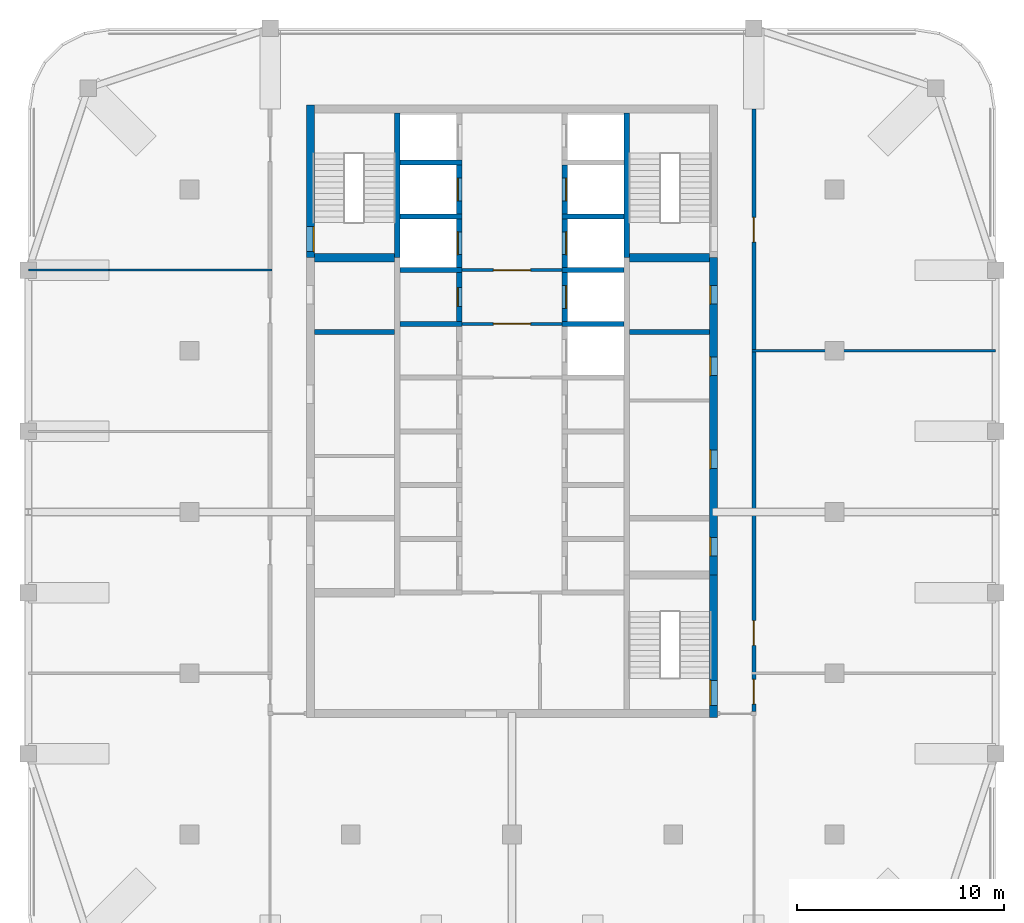
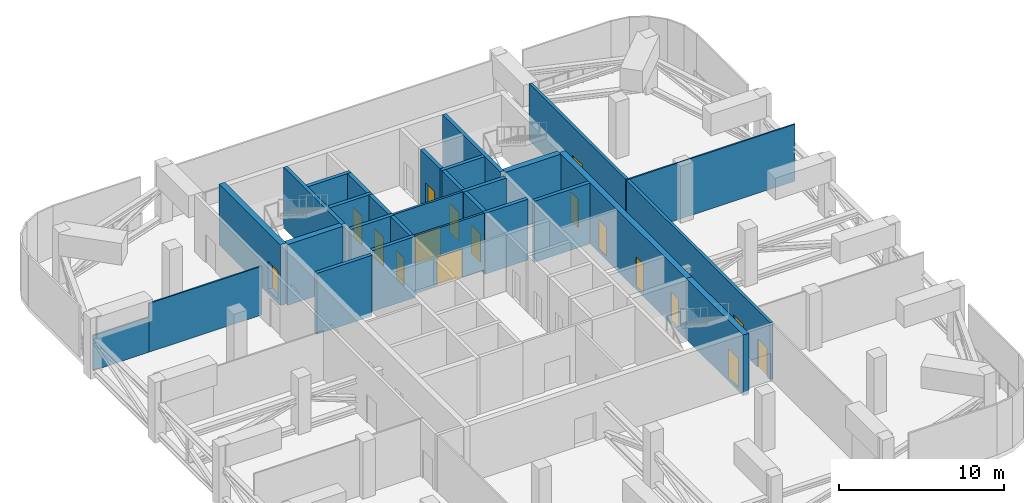
# One storey, part 7 of 13: 28 walls, 17 doors, 17 openings.
"""IFC4 building model written with IfcOpenShell, lengths in metres."""

from ifc_helpers import new_model, si_unit, direction, frame, frame_2d, origin, place, context, subcontext, project, spatial, rectangle, extrude, material, layer, layer_set, type_object, element, fill, save


model = new_model("IFC4")

# Units and contexts
model_context = context("Model", 3, precision=1e-05, world=origin(), true_north=direction((0.0, 1.0)))
body_context = subcontext(model_context, "Body", "Model", "MODEL_VIEW")
ifc_project = project(units=[si_unit("LENGTHUNIT", "METRE"), si_unit("AREAUNIT", "SQUARE_METRE"), si_unit("VOLUMEUNIT", "CUBIC_METRE"), si_unit("PLANEANGLEUNIT", "RADIAN"), si_unit("MASSUNIT", "GRAM", prefix="KILO")], contexts=[model_context])

# Site, building, storey
site_placement = place(None, origin())
site = spatial("IfcSite", under=ifc_project, at=site_placement, CompositionType="ELEMENT")
building_placement = place(site_placement, origin())
building = spatial("IfcBuilding", under=site, at=building_placement, Name="Ludao Terraces", CompositionType="ELEMENT")
storey_placement = place(building_placement, frame((0.0, 0.0, 241.5)))
storey = spatial("IfcBuildingStorey", under=building, at=storey_placement, Name="L66", CompositionType="ELEMENT", Elevation=241.5)

# Wall, opening, door
ifc_material_1 = material(Name="Concrete C50", Category="concrete")
ifc_layer_1 = layer(ifc_material_1, 0.39990234375)
ifc_layer_set_1 = layer_set([ifc_layer_1], Name="Core wall 400 C50")
wall_type_1 = type_object("IfcWallType", Name="Core wall 400 C50", PredefinedType="SOLIDWALL", material=ifc_layer_set_1)
wall_1_placement = place(storey_placement, frame((75.25, 77.300048828125, -0.300048828125), z_axis=(0.0, 0.0, 1.0), x_axis=(0.0, 1.0, 0.0)))
wall_1 = element("IfcWall", 1, at=wall_1_placement, inside=storey, type_object=wall_type_1, Name="Core wall L66 outer-W-S1", PredefinedType="SOLIDWALL", context=body_context, shape_type="SweptSolid", body=[
    extrude(rectangle(XDim=7.39990234375, YDim=0.39990234375, at=frame_2d((3.699951171875, 0.0))), origin(), (0.0, 0.0, 1.0), 4.5),
])
opening_1_placement = place(wall_1_placement, frame((0.300048828125, 0.0, 0.300048828125)))
opening_1 = element("IfcOpeningElement", 2, at=opening_1_placement, cuts=wall_1, Name="Opening L66-037", PredefinedType="OPENING", context=body_context, shape_type="SweptSolid", body=[
    extrude(rectangle(XDim=1.199951171875, YDim=2.10009765625, at=frame_2d((0.60009765625, 1.050048828125))), frame((0.0, 0.2099609375, 0.0), z_axis=(0.0, -1.0, 0.0), x_axis=(1.0, 0.0, 0.0)), (0.0, 0.0, 1.0), 0.419921875),
])
ifc_material_2 = material(Name="Steel Q235", Category="steel")
door_type_1 = type_object("IfcDoorType", Name="INT Stair door 1200", OperationType="DOUBLE_DOOR_SINGLE_SWING", PredefinedType="DOOR", material=ifc_material_2)
door_1_placement = place(opening_1_placement, origin())
door_1 = element("IfcDoor", 3, at=door_1_placement, inside=storey, type_object=door_type_1, Name="DOOR 037", OperationType="DOUBLE_DOOR_SINGLE_SWING", OverallHeight=2.10009765625, OverallWidth=1.199951171875, PredefinedType="DOOR", context=body_context, shape_type="SweptSolid", body=[
    extrude(rectangle(XDim=1.199951171875, YDim=2.10009765625, at=frame_2d((0.60009765625, 1.050048828125))), frame((0.0, -0.134765625, 0.0), z_axis=(0.0, -1.0, 0.0), x_axis=(1.0, 0.0, 0.0)), (0.0, 0.0, 1.0), 0.050048828125),
])
fill(opening_1, door_1)

wall_2_placement = place(storey_placement, frame((94.75, 55.050048828125, -0.300048828125), z_axis=(0.0, 0.0, 1.0), x_axis=(0.0, 1.0, 0.0)))
wall_2 = element("IfcWall", 4, at=wall_2_placement, inside=storey, type_object=wall_type_1, Name="Core wall L66 outer-E-S3", PredefinedType="SOLIDWALL", context=body_context, shape_type="SweptSolid", body=[
    extrude(rectangle(XDim=6.89990234375, YDim=0.39990234375, at=frame_2d((3.449951171875, 0.0))), origin(), (0.0, 0.0, 1.0), 4.5),
])
opening_2_placement = place(wall_2_placement, frame((0.60009765625, 0.0, 0.300048828125)))
opening_2 = element("IfcOpeningElement", 5, at=opening_2_placement, cuts=wall_2, Name="Opening L66-004", PredefinedType="OPENING", context=body_context, shape_type="SweptSolid", body=[
    extrude(rectangle(XDim=1.199951171875, YDim=2.10009765625, at=frame_2d((0.60009765625, 1.050048828125))), frame((0.0, 0.2099609375, 0.0), z_axis=(0.0, -1.0, 0.0), x_axis=(1.0, 0.0, 0.0)), (0.0, 0.0, 1.0), 0.419921875),
])
door_2_placement = place(opening_2_placement, origin())
door_2 = element("IfcDoor", 6, at=door_2_placement, inside=storey, type_object=door_type_1, Name="DOOR 004", OperationType="DOUBLE_DOOR_SINGLE_SWING", OverallHeight=2.10009765625, OverallWidth=1.199951171875, PredefinedType="DOOR", context=body_context, shape_type="SweptSolid", body=[
    extrude(rectangle(XDim=1.199951171875, YDim=2.10009765625, at=frame_2d((0.60009765625, 1.050048828125))), frame((0.0, 0.18505859375, 0.0), z_axis=(0.0, -1.0, 0.0), x_axis=(1.0, 0.0, 0.0)), (0.0, 0.0, 1.0), 0.050048828125),
])
fill(opening_2, door_2)

# Wall, openings, doors
wall_3_placement = place(storey_placement, frame((94.75, 61.949951171875, -0.300048828125), z_axis=(0.0, 0.0, 1.0), x_axis=(0.0, 1.0, 0.0)))
wall_3 = element("IfcWall", 7, at=wall_3_placement, inside=storey, type_object=wall_type_1, Name="Core wall L66 outer-E", PredefinedType="SOLIDWALL", context=body_context, shape_type="SweptSolid", body=[
    extrude(rectangle(XDim=15.35009765625, YDim=0.39990234375, at=frame_2d((7.675048828125, 0.0))), origin(), (0.0, 0.0, 1.0), 4.5),
])
opening_3_placement = place(wall_3_placement, frame((0.925048828125, 0.0, 0.300048828125)))
opening_3 = element("IfcOpeningElement", 8, at=opening_3_placement, cuts=wall_3, Name="Opening L66-014", PredefinedType="OPENING", context=body_context, shape_type="SweptSolid", body=[
    extrude(rectangle(XDim=0.89990234375, YDim=2.10009765625, at=frame_2d((0.449951171875, 1.050048828125))), frame((0.0, 0.2099609375, 0.0), z_axis=(0.0, -1.0, 0.0), x_axis=(1.0, 0.0, 0.0)), (0.0, 0.0, 1.0), 0.419921875),
])
opening_4_placement = place(wall_3_placement, frame((5.14990234375, 0.0, 0.300048828125)))
opening_4 = element("IfcOpeningElement", 9, at=opening_4_placement, cuts=wall_3, Name="Opening L66-018", PredefinedType="OPENING", context=body_context, shape_type="SweptSolid", body=[
    extrude(rectangle(XDim=0.89990234375, YDim=2.10009765625, at=frame_2d((0.449951171875, 1.050048828125))), frame((0.0, 0.2099609375, 0.0), z_axis=(0.0, -1.0, 0.0), x_axis=(1.0, 0.0, 0.0)), (0.0, 0.0, 1.0), 0.419921875),
])
opening_5_placement = place(wall_3_placement, frame((9.64990234375, 0.0, 0.300048828125)))
opening_5 = element("IfcOpeningElement", 10, at=opening_5_placement, cuts=wall_3, Name="Opening L66-025", PredefinedType="OPENING", context=body_context, shape_type="SweptSolid", body=[
    extrude(rectangle(XDim=0.89990234375, YDim=2.10009765625, at=frame_2d((0.449951171875, 1.050048828125))), frame((0.0, 0.2099609375, 0.0), z_axis=(0.0, -1.0, 0.0), x_axis=(1.0, 0.0, 0.0)), (0.0, 0.0, 1.0), 0.419921875),
])
opening_6_placement = place(wall_3_placement, frame((13.10009765625, 0.0, 0.300048828125)))
opening_6 = element("IfcOpeningElement", 11, at=opening_6_placement, cuts=wall_3, Name="Opening L66-033", PredefinedType="OPENING", context=body_context, shape_type="SweptSolid", body=[
    extrude(rectangle(XDim=0.89990234375, YDim=2.10009765625, at=frame_2d((0.449951171875, 1.050048828125))), frame((0.0, 0.2099609375, 0.0), z_axis=(0.0, -1.0, 0.0), x_axis=(1.0, 0.0, 0.0)), (0.0, 0.0, 1.0), 0.419921875),
])
door_type_2 = type_object("IfcDoorType", Name="INT Riser door 900", OperationType="SINGLE_SWING_LEFT", PredefinedType="DOOR", material=ifc_material_2)
door_3_placement = place(opening_3_placement, origin())
door_3 = element("IfcDoor", 12, at=door_3_placement, inside=storey, type_object=door_type_2, Name="DOOR 014", OperationType="SINGLE_SWING_LEFT", OverallHeight=2.10009765625, OverallWidth=0.89990234375, PredefinedType="DOOR", context=body_context, shape_type="SweptSolid", body=[
    extrude(rectangle(XDim=0.89990234375, YDim=2.10009765625, at=frame_2d((0.449951171875, 1.050048828125))), frame((0.0, 0.18505859375, 0.0), z_axis=(0.0, -1.0, 0.0), x_axis=(1.0, 0.0, 0.0)), (0.0, 0.0, 1.0), 0.050048828125),
])
fill(opening_3, door_3)
door_4_placement = place(opening_6_placement, origin())
door_4 = element("IfcDoor", 13, at=door_4_placement, inside=storey, type_object=door_type_2, Name="DOOR 033", OperationType="SINGLE_SWING_RIGHT", OverallHeight=2.10009765625, OverallWidth=0.89990234375, PredefinedType="DOOR", context=body_context, shape_type="SweptSolid", body=[
    extrude(rectangle(XDim=0.89990234375, YDim=2.10009765625, at=frame_2d((0.449951171875, 1.050048828125))), frame((0.0, 0.18505859375, 0.0), z_axis=(0.0, -1.0, 0.0), x_axis=(1.0, 0.0, 0.0)), (0.0, 0.0, 1.0), 0.050048828125),
])
fill(opening_6, door_4)
ifc_material_3 = material(Name="Timber door leaf", Category="wood")
door_type_3 = type_object("IfcDoorType", Name="INT Room door 900", OperationType="SINGLE_SWING_LEFT", PredefinedType="DOOR", material=ifc_material_3)
door_5_placement = place(opening_4_placement, origin())
door_5 = element("IfcDoor", 14, at=door_5_placement, inside=storey, type_object=door_type_3, Name="DOOR 018", OperationType="SINGLE_SWING_LEFT", OverallHeight=2.10009765625, OverallWidth=0.89990234375, PredefinedType="DOOR", context=body_context, shape_type="SweptSolid", body=[
    extrude(rectangle(XDim=0.89990234375, YDim=2.10009765625, at=frame_2d((0.449951171875, 1.050048828125))), frame((0.0, 0.18505859375, 0.0), z_axis=(0.0, -1.0, 0.0), x_axis=(1.0, 0.0, 0.0)), (0.0, 0.0, 1.0), 0.050048828125),
])
fill(opening_4, door_5)
door_6_placement = place(opening_5_placement, origin())
door_6 = element("IfcDoor", 15, at=door_6_placement, inside=storey, type_object=door_type_3, Name="DOOR 025", OperationType="SINGLE_SWING_LEFT", OverallHeight=2.10009765625, OverallWidth=0.89990234375, PredefinedType="DOOR", context=body_context, shape_type="SweptSolid", body=[
    extrude(rectangle(XDim=0.89990234375, YDim=2.10009765625, at=frame_2d((0.449951171875, 1.050048828125))), frame((0.0, 0.18505859375, 0.0), z_axis=(0.0, -1.0, 0.0), x_axis=(1.0, 0.0, 0.0)), (0.0, 0.0, 1.0), 0.050048828125),
])
fill(opening_5, door_6)

# Wall, opening, door
ifc_material_4 = material(Name="Fire-rated gypsum plasterboard", Category="gypsum")
ifc_layer_2 = layer(ifc_material_4, 0.012451171875, Category="gypsum")
ifc_material_5 = material(Name="Mineral wool")
ifc_layer_3 = layer(ifc_material_5, 0.10009765625, Name="insulation")
ifc_layer_4 = layer(ifc_material_2, 0.02490234375, Name="stud")
ifc_layer_5 = layer(ifc_material_4, 0.012451171875, Category="gypsum")
ifc_layer_set_2 = layer_set([ifc_layer_2, ifc_layer_3, ifc_layer_4, ifc_layer_5], Name="INT Core partition 150")
wall_type_2 = type_object("IfcWallType", Name="INT Core partition 150", PredefinedType="PARTITIONING", material=ifc_layer_set_2)
wall_4_placement = place(storey_placement, frame((82.5751953125, 74.10009765625, 0.0), z_axis=(0.0, 0.0, 1.0), x_axis=(1.0, 0.0, 0.0)))
wall_4 = element("IfcWall", 16, at=wall_4_placement, inside=storey, type_object=wall_type_2, Name="PW-L66-PW010", PredefinedType="PARTITIONING", context=body_context, shape_type="SweptSolid", body=[
    extrude(rectangle(XDim=4.849853515625, YDim=0.14990234375, at=frame_2d((2.4248046875, 0.0))), origin(), (0.0, 0.0, 1.0), 4.199951171875),
])
opening_7_placement = place(wall_4_placement, frame((1.52490234375, 0.0, 0.0)))
opening_7 = element("IfcOpeningElement", 17, at=opening_7_placement, cuts=wall_4, Name="Opening L66-028", PredefinedType="OPENING", context=body_context, shape_type="SweptSolid", body=[
    extrude(rectangle(XDim=1.800048828125, YDim=2.10009765625, at=frame_2d((0.89990234375, 1.050048828125))), frame((0.0, 0.0849609375, 0.0), z_axis=(0.0, -1.0, 0.0), x_axis=(1.0, 0.0, 0.0)), (0.0, 0.0, 1.0), 0.169921875),
])
door_type_4 = type_object("IfcDoorType", Name="INT Fire lobby door 1800", OperationType="DOUBLE_DOOR_SINGLE_SWING", PredefinedType="DOOR", material=ifc_material_2)
door_7_placement = place(opening_7_placement, origin())
door_7 = element("IfcDoor", 18, at=door_7_placement, inside=storey, type_object=door_type_4, Name="DOOR 028", OperationType="DOUBLE_DOOR_SINGLE_SWING", OverallHeight=2.10009765625, OverallWidth=1.800048828125, PredefinedType="DOOR", context=body_context, shape_type="SweptSolid", body=[
    extrude(rectangle(XDim=1.800048828125, YDim=2.10009765625, at=frame_2d((0.89990234375, 1.050048828125))), frame((0.0, 0.02490234375, 0.0), z_axis=(0.0, -1.0, 0.0), x_axis=(1.0, 0.0, 0.0)), (0.0, 0.0, 1.0), 0.050048828125),
])
fill(opening_7, door_7)

wall_5_placement = place(storey_placement, frame((82.5751953125, 76.699951171875, 0.0), z_axis=(0.0, 0.0, 1.0), x_axis=(1.0, 0.0, 0.0)))
wall_5 = element("IfcWall", 19, at=wall_5_placement, inside=storey, type_object=wall_type_2, Name="PW-L66-PW012", PredefinedType="PARTITIONING", context=body_context, shape_type="SweptSolid", body=[
    extrude(rectangle(XDim=4.849853515625, YDim=0.14990234375, at=frame_2d((2.4248046875, 0.0))), origin(), (0.0, 0.0, 1.0), 4.199951171875),
])
opening_8_placement = place(wall_5_placement, frame((1.52490234375, 0.0, 0.0)))
opening_8 = element("IfcOpeningElement", 20, at=opening_8_placement, cuts=wall_5, Name="Opening L66-034", PredefinedType="OPENING", context=body_context, shape_type="SweptSolid", body=[
    extrude(rectangle(XDim=1.800048828125, YDim=2.10009765625, at=frame_2d((0.89990234375, 1.050048828125))), frame((0.0, 0.0849609375, 0.0), z_axis=(0.0, -1.0, 0.0), x_axis=(1.0, 0.0, 0.0)), (0.0, 0.0, 1.0), 0.169921875),
])
door_8_placement = place(opening_8_placement, origin())
door_8 = element("IfcDoor", 21, at=door_8_placement, inside=storey, type_object=door_type_4, Name="DOOR 034", OperationType="DOUBLE_DOOR_SINGLE_SWING", OverallHeight=2.10009765625, OverallWidth=1.800048828125, PredefinedType="DOOR", context=body_context, shape_type="SweptSolid", body=[
    extrude(rectangle(XDim=1.800048828125, YDim=2.10009765625, at=frame_2d((0.89990234375, 1.050048828125))), frame((0.0, 0.02490234375, 0.0), z_axis=(0.0, -1.0, 0.0), x_axis=(1.0, 0.0, 0.0)), (0.0, 0.0, 1.0), 0.050048828125),
])
fill(opening_8, door_8)

# Wall, openings, doors
ifc_material_6 = material(Name="Autoclaved aerated concrete block B06 A3.5", Category="concrete")
ifc_layer_6 = layer(ifc_material_6, 0.199951171875)
ifc_layer_set_3 = layer_set([ifc_layer_6], Name="INT Entrance wall 200")
wall_type_3 = type_object("IfcWallType", Name="INT Entrance wall 200", PredefinedType="PARTITIONING", material=ifc_layer_set_3)
wall_6_placement = place(storey_placement, frame((96.699951171875, 55.35009765625, 0.0), z_axis=(0.0, 0.0, 1.0), x_axis=(0.0, 1.0, 0.0)))
wall_6 = element("IfcWall", 22, at=wall_6_placement, inside=storey, type_object=wall_type_3, Name="PW-L66-PW017", PredefinedType="PARTITIONING", context=body_context, shape_type="SweptSolid", body=[
    extrude(rectangle(XDim=29.14990234375, YDim=0.199951171875, at=frame_2d((14.574951171875, 0.0))), origin(), (0.0, 0.0, 1.0), 4.199951171875),
])
opening_9_placement = place(wall_6_placement, frame((0.35009765625, 0.0, 0.0)))
opening_9 = element("IfcOpeningElement", 23, at=opening_9_placement, cuts=wall_6, Name="Opening L66-006", PredefinedType="OPENING", context=body_context, shape_type="SweptSolid", body=[
    extrude(rectangle(XDim=1.199951171875, YDim=2.10009765625, at=frame_2d((0.60009765625, 1.050048828125))), frame((0.0, 0.10986328125, 0.0), z_axis=(0.0, -1.0, 0.0), x_axis=(1.0, 0.0, 0.0)), (0.0, 0.0, 1.0), 0.219970703125),
])
opening_10_placement = place(wall_6_placement, frame((3.199951171875, 0.0, 0.0)))
opening_10 = element("IfcOpeningElement", 24, at=opening_10_placement, cuts=wall_6, Name="Opening L66-008", PredefinedType="OPENING", context=body_context, shape_type="SweptSolid", body=[
    extrude(rectangle(XDim=1.199951171875, YDim=2.10009765625, at=frame_2d((0.60009765625, 1.050048828125))), frame((0.0, 0.10986328125, 0.0), z_axis=(0.0, -1.0, 0.0), x_axis=(1.0, 0.0, 0.0)), (0.0, 0.0, 1.0), 0.219970703125),
])
opening_11_placement = place(wall_6_placement, frame((22.699951171875, 0.0, 0.0)))
opening_11 = element("IfcOpeningElement", 25, at=opening_11_placement, cuts=wall_6, Name="Opening L66-039", PredefinedType="OPENING", context=body_context, shape_type="SweptSolid", body=[
    extrude(rectangle(XDim=1.199951171875, YDim=2.10009765625, at=frame_2d((0.60009765625, 1.050048828125))), frame((0.0, 0.10986328125, 0.0), z_axis=(0.0, -1.0, 0.0), x_axis=(1.0, 0.0, 0.0)), (0.0, 0.0, 1.0), 0.219970703125),
])
door_type_5 = type_object("IfcDoorType", Name="INT Double door 1200", OperationType="DOUBLE_DOOR_SINGLE_SWING", PredefinedType="DOOR", material=ifc_material_3)
door_9_placement = place(opening_9_placement, origin())
door_9 = element("IfcDoor", 26, at=door_9_placement, inside=storey, type_object=door_type_5, Name="DOOR 006", OperationType="DOUBLE_DOOR_SINGLE_SWING", OverallHeight=2.10009765625, OverallWidth=1.199951171875, PredefinedType="DOOR", context=body_context, shape_type="SweptSolid", body=[
    extrude(rectangle(XDim=1.199951171875, YDim=2.10009765625, at=frame_2d((0.60009765625, 1.050048828125))), frame((0.0, 0.02490234375, 0.0), z_axis=(0.0, -1.0, 0.0), x_axis=(1.0, 0.0, 0.0)), (0.0, 0.0, 1.0), 0.050048828125),
])
fill(opening_9, door_9)
door_10_placement = place(opening_10_placement, origin())
door_10 = element("IfcDoor", 27, at=door_10_placement, inside=storey, type_object=door_type_5, Name="DOOR 008", OperationType="DOUBLE_DOOR_SINGLE_SWING", OverallHeight=2.10009765625, OverallWidth=1.199951171875, PredefinedType="DOOR", context=body_context, shape_type="SweptSolid", body=[
    extrude(rectangle(XDim=1.199951171875, YDim=2.10009765625, at=frame_2d((0.60009765625, 1.050048828125))), frame((0.0, 0.02490234375, 0.0), z_axis=(0.0, -1.0, 0.0), x_axis=(1.0, 0.0, 0.0)), (0.0, 0.0, 1.0), 0.050048828125),
])
fill(opening_10, door_10)
door_11_placement = place(opening_11_placement, origin())
door_11 = element("IfcDoor", 28, at=door_11_placement, inside=storey, type_object=door_type_5, Name="DOOR 039", OperationType="DOUBLE_DOOR_SINGLE_SWING", OverallHeight=2.10009765625, OverallWidth=1.199951171875, PredefinedType="DOOR", context=body_context, shape_type="SweptSolid", body=[
    extrude(rectangle(XDim=1.199951171875, YDim=2.10009765625, at=frame_2d((0.60009765625, 1.050048828125))), frame((0.0, 0.02490234375, 0.0), z_axis=(0.0, -1.0, 0.0), x_axis=(1.0, 0.0, 0.0)), (0.0, 0.0, 1.0), 0.050048828125),
])
fill(opening_11, door_11)

# Walls
ifc_material_7 = material(Name="Gypsum plasterboard", Category="gypsum")
ifc_layer_7 = layer(ifc_material_7, 0.012451171875, Category="gypsum")
ifc_layer_8 = layer(ifc_material_5, 0.06005859375, Name="insulation")
ifc_layer_9 = layer(ifc_material_2, 0.014892578125, Name="stud")
ifc_layer_10 = layer(ifc_material_7, 0.012451171875, Category="gypsum")
ifc_layer_set_4 = layer_set([ifc_layer_7, ifc_layer_8, ifc_layer_9, ifc_layer_10], Name="INT Partition 100")
wall_type_4 = type_object("IfcWallType", Name="INT Partition 100", PredefinedType="PARTITIONING", material=ifc_layer_set_4)
wall_7_placement = place(storey_placement, frame((96.60009765625, 72.800048828125, 0.0), z_axis=(0.0, 0.0, 1.0), x_axis=(1.0, 0.0, 0.0)))
element("IfcWall", 29, at=wall_7_placement, inside=storey, type_object=wall_type_4, Name="PW-L66-PW009", PredefinedType="PARTITIONING", context=body_context, shape_type="SweptSolid", body=[
    extrude(rectangle(XDim=11.800048828125, YDim=0.10009765625, at=frame_2d((5.89990234375, 0.0))), origin(), (0.0, 0.0, 1.0), 4.199951171875),
])
wall_8_placement = place(storey_placement, frame((61.60009765625, 76.699951171875, 0.0), z_axis=(0.0, 0.0, 1.0), x_axis=(1.0, 0.0, 0.0)))
element("IfcWall", 30, at=wall_8_placement, inside=storey, type_object=wall_type_4, Name="PW-L66-PW011", PredefinedType="PARTITIONING", context=body_context, shape_type="SweptSolid", body=[
    extrude(rectangle(XDim=3.89990234375, YDim=0.10009765625, at=frame_2d((1.949951171875, 0.0))), origin(), (0.0, 0.0, 1.0), 2.599853515625),
])
wall_9_placement = place(storey_placement, frame((65.5, 76.699951171875, 0.0), z_axis=(0.0, 0.0, 1.0), x_axis=(1.0, 0.0, 0.0)))
element("IfcWall", 31, at=wall_9_placement, inside=storey, type_object=wall_type_4, Name="PW-L66-PW011-2", PredefinedType="PARTITIONING", context=body_context, shape_type="SweptSolid", body=[
    extrude(rectangle(XDim=7.900146484375, YDim=0.10009765625, at=frame_2d((3.9501953125, 0.0))), origin(), (0.0, 0.0, 1.0), 3.599853515625),
])
ifc_layer_11 = layer(ifc_material_1, 0.25)
ifc_layer_set_5 = layer_set([ifc_layer_11], Name="Shaft wall 250 C50")
wall_type_5 = type_object("IfcWallType", Name="Shaft wall 250 C50", PredefinedType="SOLIDWALL", material=ifc_layer_set_5)
for number, where, z_axis, x_axis, name in (
    (32, (79.449951171875, 77.300048828125, -0.300048828125), (0.0, 0.0, 1.0), (0.0, 1.0, 0.0), "Core wall L66 back-W-S1"),
    (33, (90.550048828125, 77.300048828125, -0.300048828125), (0.0, 0.0, 1.0), (0.0, 1.0, 0.0), "Core wall L66 back-E-S2"),
):
    element("IfcWall", number, at=place(storey_placement, frame(where, z_axis=z_axis, x_axis=x_axis)), inside=storey, type_object=wall_type_5, Name=name, PredefinedType="SOLIDWALL", context=body_context, shape_type="SweptSolid", body=[
        extrude(rectangle(XDim=7.0, YDim=0.25, at=frame_2d((3.5, 0.0))), origin(), (0.0, 0.0, 1.0), 4.5),
    ])
wall_10_placement = place(storey_placement, frame((79.574951171875, 74.10009765625, -0.300048828125), z_axis=(0.0, 0.0, 1.0), x_axis=(1.0, 0.0, 0.0)))
element("IfcWall", 34, at=wall_10_placement, inside=storey, type_object=wall_type_5, Name="Core wall L66 div-W6", PredefinedType="SOLIDWALL", context=body_context, shape_type="SweptSolid", body=[
    extrude(rectangle(XDim=3.0, YDim=0.25, at=frame_2d((1.5, 0.0))), origin(), (0.0, 0.0, 1.0), 4.5),
])

# Wall, opening, door
wall_11_placement = place(storey_placement, frame((82.449951171875, 74.22509765625, -0.300048828125), z_axis=(0.0, 0.0, 1.0), x_axis=(0.0, 1.0, 0.0)))
wall_11 = element("IfcWall", 35, at=wall_11_placement, inside=storey, type_object=wall_type_5, Name="Core wall L66 front-W6", PredefinedType="SOLIDWALL", context=body_context, shape_type="SweptSolid", body=[
    extrude(rectangle(XDim=2.349853515625, YDim=0.25, at=frame_2d((1.1748046875, 0.0))), origin(), (0.0, 0.0, 1.0), 4.5),
])
opening_12_placement = place(wall_11_placement, frame((0.72509765625, 0.0, 0.300048828125)))
opening_12 = element("IfcOpeningElement", 36, at=opening_12_placement, cuts=wall_11, Name="Opening L66-030", PredefinedType="OPENING", context=body_context, shape_type="SweptSolid", body=[
    extrude(rectangle(XDim=0.89990234375, YDim=2.10009765625, at=frame_2d((0.449951171875, 1.050048828125))), frame((0.0, 0.135009765625, 0.0), z_axis=(0.0, -1.0, 0.0), x_axis=(1.0, 0.0, 0.0)), (0.0, 0.0, 1.0), 0.27001953125),
])
door_12_placement = place(opening_12_placement, origin())
door_12 = element("IfcDoor", 37, at=door_12_placement, inside=storey, type_object=door_type_3, Name="DOOR 030", OperationType="SINGLE_SWING_LEFT", OverallHeight=2.10009765625, OverallWidth=0.89990234375, PredefinedType="DOOR", context=body_context, shape_type="SweptSolid", body=[
    extrude(rectangle(XDim=0.89990234375, YDim=2.10009765625, at=frame_2d((0.449951171875, 1.050048828125))), frame((0.0, 0.10986328125, 0.0), z_axis=(0.0, -1.0, 0.0), x_axis=(1.0, 0.0, 0.0)), (0.0, 0.0, 1.0), 0.050048828125),
])
fill(opening_12, door_12)

# Wall
wall_12_placement = place(storey_placement, frame((79.574951171875, 76.699951171875, -0.300048828125), z_axis=(0.0, 0.0, 1.0), x_axis=(1.0, 0.0, 0.0)))
element("IfcWall", 38, at=wall_12_placement, inside=storey, type_object=wall_type_5, Name="Core wall L66 div-W7", PredefinedType="SOLIDWALL", context=body_context, shape_type="SweptSolid", body=[
    extrude(rectangle(XDim=3.0, YDim=0.25, at=frame_2d((1.5, 0.0))), origin(), (0.0, 0.0, 1.0), 4.5),
])

# Wall, opening, door
wall_13_placement = place(storey_placement, frame((82.449951171875, 76.824951171875, -0.300048828125), z_axis=(0.0, 0.0, 1.0), x_axis=(0.0, 1.0, 0.0)))
wall_13 = element("IfcWall", 39, at=wall_13_placement, inside=storey, type_object=wall_type_5, Name="Core wall L66 front-W7", PredefinedType="SOLIDWALL", context=body_context, shape_type="SweptSolid", body=[
    extrude(rectangle(XDim=2.35009765625, YDim=0.25, at=frame_2d((1.175048828125, 0.0))), origin(), (0.0, 0.0, 1.0), 4.5),
])
opening_13_placement = place(wall_13_placement, frame((0.625, 0.0, 0.300048828125)))
opening_13 = element("IfcOpeningElement", 40, at=opening_13_placement, cuts=wall_13, Name="Opening LD-FF1", PredefinedType="OPENING", context=body_context, shape_type="SweptSolid", body=[
    extrude(rectangle(XDim=1.10009765625, YDim=2.10009765625, at=frame_2d((0.550048828125, 1.050048828125))), frame((0.0, 0.135009765625, 0.0), z_axis=(0.0, -1.0, 0.0), x_axis=(1.0, 0.0, 0.0)), (0.0, 0.0, 1.0), 0.27001953125),
])
ifc_material_8 = material(Name="Stainless steel 304", Category="steel")
door_type_6 = type_object("IfcDoorType", Name="INT Lift landing door 1100", OperationType="SLIDING_TO_LEFT", PredefinedType="DOOR", material=ifc_material_8)
door_13_placement = place(opening_13_placement, origin())
door_13 = element("IfcDoor", 41, at=door_13_placement, inside=storey, type_object=door_type_6, Name="LANDING DOOR FF1 L66", OperationType="SLIDING_TO_LEFT", OverallHeight=2.10009765625, OverallWidth=1.10009765625, PredefinedType="DOOR", context=body_context, shape_type="SweptSolid", body=[
    extrude(rectangle(XDim=1.10009765625, YDim=2.10009765625, at=frame_2d((0.550048828125, 1.050048828125))), frame((0.0, 0.10986328125, 0.0), z_axis=(0.0, -1.0, 0.0), x_axis=(1.0, 0.0, 0.0)), (0.0, 0.0, 1.0), 0.050048828125),
])
fill(opening_13, door_13)

# Wall
wall_14_placement = place(storey_placement, frame((79.574951171875, 79.300048828125, -0.300048828125), z_axis=(0.0, 0.0, 1.0), x_axis=(1.0, 0.0, 0.0)))
element("IfcWall", 42, at=wall_14_placement, inside=storey, type_object=wall_type_5, Name="Core wall L66 div-W8", PredefinedType="SOLIDWALL", context=body_context, shape_type="SweptSolid", body=[
    extrude(rectangle(XDim=3.0, YDim=0.25, at=frame_2d((1.5, 0.0))), origin(), (0.0, 0.0, 1.0), 4.5),
])

# Wall, opening, door
wall_15_placement = place(storey_placement, frame((82.449951171875, 79.425048828125, -0.300048828125), z_axis=(0.0, 0.0, 1.0), x_axis=(0.0, 1.0, 0.0)))
wall_15 = element("IfcWall", 43, at=wall_15_placement, inside=storey, type_object=wall_type_5, Name="Core wall L66 front-W8", PredefinedType="SOLIDWALL", context=body_context, shape_type="SweptSolid", body=[
    extrude(rectangle(XDim=2.349853515625, YDim=0.25, at=frame_2d((1.1748046875, 0.0))), origin(), (0.0, 0.0, 1.0), 4.5),
])
opening_14_placement = place(wall_15_placement, frame((0.625, 0.0, 0.300048828125)))
opening_14 = element("IfcOpeningElement", 44, at=opening_14_placement, cuts=wall_15, Name="Opening LD-FF2", PredefinedType="OPENING", context=body_context, shape_type="SweptSolid", body=[
    extrude(rectangle(XDim=1.10009765625, YDim=2.10009765625, at=frame_2d((0.550048828125, 1.050048828125))), frame((0.0, 0.135009765625, 0.0), z_axis=(0.0, -1.0, 0.0), x_axis=(1.0, 0.0, 0.0)), (0.0, 0.0, 1.0), 0.27001953125),
])
door_14_placement = place(opening_14_placement, origin())
door_14 = element("IfcDoor", 45, at=door_14_placement, inside=storey, type_object=door_type_6, Name="LANDING DOOR FF2 L66", OperationType="SLIDING_TO_LEFT", OverallHeight=2.10009765625, OverallWidth=1.10009765625, PredefinedType="DOOR", context=body_context, shape_type="SweptSolid", body=[
    extrude(rectangle(XDim=1.10009765625, YDim=2.10009765625, at=frame_2d((0.550048828125, 1.050048828125))), frame((0.0, 0.10986328125, 0.0), z_axis=(0.0, -1.0, 0.0), x_axis=(1.0, 0.0, 0.0)), (0.0, 0.0, 1.0), 0.050048828125),
])
fill(opening_14, door_14)

# Walls
for number, where, z_axis, x_axis, name in (
    (46, (79.574951171875, 81.89990234375, -0.300048828125), (0.0, 0.0, 1.0), (1.0, 0.0, 0.0), "Core wall L66 div-W9"),
    (47, (87.425048828125, 74.10009765625, -0.300048828125), (0.0, 0.0, 1.0), (1.0, 0.0, 0.0), "Core wall L66 div-E6"),
):
    element("IfcWall", number, at=place(storey_placement, frame(where, z_axis=z_axis, x_axis=x_axis)), inside=storey, type_object=wall_type_5, Name=name, PredefinedType="SOLIDWALL", context=body_context, shape_type="SweptSolid", body=[
        extrude(rectangle(XDim=3.0, YDim=0.25, at=frame_2d((1.5, 0.0))), origin(), (0.0, 0.0, 1.0), 4.5),
    ])

# Wall, opening, door
wall_16_placement = place(storey_placement, frame((87.550048828125, 74.22509765625, -0.300048828125), z_axis=(0.0, 0.0, 1.0), x_axis=(0.0, 1.0, 0.0)))
wall_16 = element("IfcWall", 48, at=wall_16_placement, inside=storey, type_object=wall_type_5, Name="Core wall L66 front-E6", PredefinedType="SOLIDWALL", context=body_context, shape_type="SweptSolid", body=[
    extrude(rectangle(XDim=2.349853515625, YDim=0.25, at=frame_2d((1.1748046875, 0.0))), origin(), (0.0, 0.0, 1.0), 4.5),
])
opening_15_placement = place(wall_16_placement, frame((0.625, 0.0, 0.300048828125)))
opening_15 = element("IfcOpeningElement", 49, at=opening_15_placement, cuts=wall_16, Name="Opening LD-LB2", PredefinedType="OPENING", context=body_context, shape_type="SweptSolid", body=[
    extrude(rectangle(XDim=1.10009765625, YDim=2.10009765625, at=frame_2d((0.550048828125, 1.050048828125))), frame((0.0, 0.135009765625, 0.0), z_axis=(0.0, -1.0, 0.0), x_axis=(1.0, 0.0, 0.0)), (0.0, 0.0, 1.0), 0.27001953125),
])
door_15_placement = place(opening_15_placement, origin())
door_15 = element("IfcDoor", 50, at=door_15_placement, inside=storey, type_object=door_type_6, Name="LANDING DOOR LB2 L66", OperationType="SLIDING_TO_LEFT", OverallHeight=2.10009765625, OverallWidth=1.10009765625, PredefinedType="DOOR", context=body_context, shape_type="SweptSolid", body=[
    extrude(rectangle(XDim=1.10009765625, YDim=2.10009765625, at=frame_2d((0.550048828125, 1.050048828125))), frame((0.0, -0.06005859375, 0.0), z_axis=(0.0, -1.0, 0.0), x_axis=(1.0, 0.0, 0.0)), (0.0, 0.0, 1.0), 0.050048828125),
])
fill(opening_15, door_15)

# Wall
wall_17_placement = place(storey_placement, frame((87.425048828125, 76.699951171875, -0.300048828125), z_axis=(0.0, 0.0, 1.0), x_axis=(1.0, 0.0, 0.0)))
element("IfcWall", 51, at=wall_17_placement, inside=storey, type_object=wall_type_5, Name="Core wall L66 div-E7", PredefinedType="SOLIDWALL", context=body_context, shape_type="SweptSolid", body=[
    extrude(rectangle(XDim=3.0, YDim=0.25, at=frame_2d((1.5, 0.0))), origin(), (0.0, 0.0, 1.0), 4.5),
])

# Wall, opening, door
wall_18_placement = place(storey_placement, frame((87.550048828125, 76.824951171875, -0.300048828125), z_axis=(0.0, 0.0, 1.0), x_axis=(0.0, 1.0, 0.0)))
wall_18 = element("IfcWall", 52, at=wall_18_placement, inside=storey, type_object=wall_type_5, Name="Core wall L66 front-E7", PredefinedType="SOLIDWALL", context=body_context, shape_type="SweptSolid", body=[
    extrude(rectangle(XDim=2.35009765625, YDim=0.25, at=frame_2d((1.175048828125, 0.0))), origin(), (0.0, 0.0, 1.0), 4.5),
])
opening_16_placement = place(wall_18_placement, frame((0.625, 0.0, 0.300048828125)))
opening_16 = element("IfcOpeningElement", 53, at=opening_16_placement, cuts=wall_18, Name="Opening LD-LB3", PredefinedType="OPENING", context=body_context, shape_type="SweptSolid", body=[
    extrude(rectangle(XDim=1.10009765625, YDim=2.10009765625, at=frame_2d((0.550048828125, 1.050048828125))), frame((0.0, 0.135009765625, 0.0), z_axis=(0.0, -1.0, 0.0), x_axis=(1.0, 0.0, 0.0)), (0.0, 0.0, 1.0), 0.27001953125),
])
door_16_placement = place(opening_16_placement, origin())
door_16 = element("IfcDoor", 54, at=door_16_placement, inside=storey, type_object=door_type_6, Name="LANDING DOOR LB3 L66", OperationType="SLIDING_TO_LEFT", OverallHeight=2.10009765625, OverallWidth=1.10009765625, PredefinedType="DOOR", context=body_context, shape_type="SweptSolid", body=[
    extrude(rectangle(XDim=1.10009765625, YDim=2.10009765625, at=frame_2d((0.550048828125, 1.050048828125))), frame((0.0, -0.06005859375, 0.0), z_axis=(0.0, -1.0, 0.0), x_axis=(1.0, 0.0, 0.0)), (0.0, 0.0, 1.0), 0.050048828125),
])
fill(opening_16, door_16)

# Wall
wall_19_placement = place(storey_placement, frame((87.425048828125, 79.300048828125, -0.300048828125), z_axis=(0.0, 0.0, 1.0), x_axis=(1.0, 0.0, 0.0)))
element("IfcWall", 55, at=wall_19_placement, inside=storey, type_object=wall_type_5, Name="Core wall L66 div-E8", PredefinedType="SOLIDWALL", context=body_context, shape_type="SweptSolid", body=[
    extrude(rectangle(XDim=3.0, YDim=0.25, at=frame_2d((1.5, 0.0))), origin(), (0.0, 0.0, 1.0), 4.5),
])

# Wall, opening, door
wall_20_placement = place(storey_placement, frame((87.550048828125, 79.425048828125, -0.300048828125), z_axis=(0.0, 0.0, 1.0), x_axis=(0.0, 1.0, 0.0)))
wall_20 = element("IfcWall", 56, at=wall_20_placement, inside=storey, type_object=wall_type_5, Name="Core wall L66 front-E8", PredefinedType="SOLIDWALL", context=body_context, shape_type="SweptSolid", body=[
    extrude(rectangle(XDim=2.349853515625, YDim=0.25, at=frame_2d((1.1748046875, 0.0))), origin(), (0.0, 0.0, 1.0), 4.5),
])
opening_17_placement = place(wall_20_placement, frame((0.625, 0.0, 0.300048828125)))
opening_17 = element("IfcOpeningElement", 57, at=opening_17_placement, cuts=wall_20, Name="Opening LD-LB4", PredefinedType="OPENING", context=body_context, shape_type="SweptSolid", body=[
    extrude(rectangle(XDim=1.10009765625, YDim=2.10009765625, at=frame_2d((0.550048828125, 1.050048828125))), frame((0.0, 0.135009765625, 0.0), z_axis=(0.0, -1.0, 0.0), x_axis=(1.0, 0.0, 0.0)), (0.0, 0.0, 1.0), 0.27001953125),
])
door_17_placement = place(opening_17_placement, origin())
door_17 = element("IfcDoor", 58, at=door_17_placement, inside=storey, type_object=door_type_6, Name="LANDING DOOR LB4 L66", OperationType="SLIDING_TO_RIGHT", OverallHeight=2.10009765625, OverallWidth=1.10009765625, PredefinedType="DOOR", context=body_context, shape_type="SweptSolid", body=[
    extrude(rectangle(XDim=1.10009765625, YDim=2.10009765625, at=frame_2d((0.550048828125, 1.050048828125))), frame((0.0, -0.06005859375, 0.0), z_axis=(0.0, -1.0, 0.0), x_axis=(1.0, 0.0, 0.0)), (0.0, 0.0, 1.0), 0.050048828125),
])
fill(opening_17, door_17)

# Walls
for number, where, z_axis, x_axis, name in (
    (59, (75.449951171875, 73.699951171875, -0.300048828125), (0.0, 0.0, 1.0), (1.0, 0.0, 0.0), "Core wall L66 riser-b-W"),
    (60, (90.675048828125, 73.699951171875, -0.300048828125), (0.0, 0.0, 1.0), (1.0, 0.0, 0.0), "Core wall L66 riser-b-E"),
):
    element("IfcWall", number, at=place(storey_placement, frame(where, z_axis=z_axis, x_axis=x_axis)), inside=storey, type_object=wall_type_5, Name=name, PredefinedType="SOLIDWALL", context=body_context, shape_type="SweptSolid", body=[
        extrude(rectangle(XDim=3.875, YDim=0.25, at=frame_2d((1.9375, 0.0))), origin(), (0.0, 0.0, 1.0), 4.5),
    ])
ifc_layer_12 = layer(ifc_material_1, 0.39990234375)
ifc_layer_set_6 = layer_set([ifc_layer_12], Name="Shaft wall 400 C50")
wall_type_6 = type_object("IfcWallType", Name="Shaft wall 400 C50", PredefinedType="SOLIDWALL", material=ifc_layer_set_6)
for number, where, z_axis, x_axis, name in (
    (61, (75.449951171875, 77.300048828125, -0.300048828125), (0.0, 0.0, 1.0), (1.0, 0.0, 0.0), "Core wall L66 stair-W"),
    (62, (90.675048828125, 77.300048828125, -0.300048828125), (0.0, 0.0, 1.0), (1.0, 0.0, 0.0), "Core wall L66 stair-E"),
):
    element("IfcWall", number, at=place(storey_placement, frame(where, z_axis=z_axis, x_axis=x_axis)), inside=storey, type_object=wall_type_6, Name=name, PredefinedType="SOLIDWALL", context=body_context, shape_type="SweptSolid", body=[
        extrude(rectangle(XDim=3.875, YDim=0.39990234375, at=frame_2d((1.9375, 0.0))), origin(), (0.0, 0.0, 1.0), 4.5),
    ])

save(model, "model.ifc")
